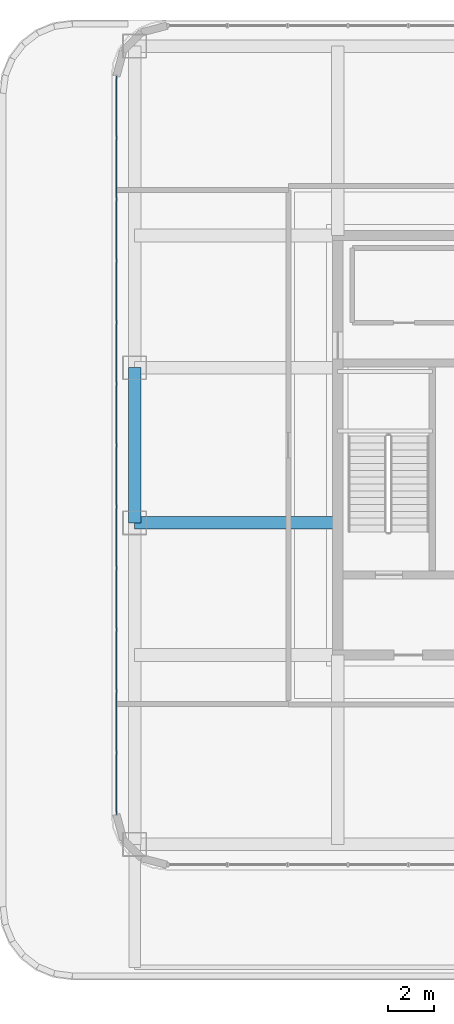
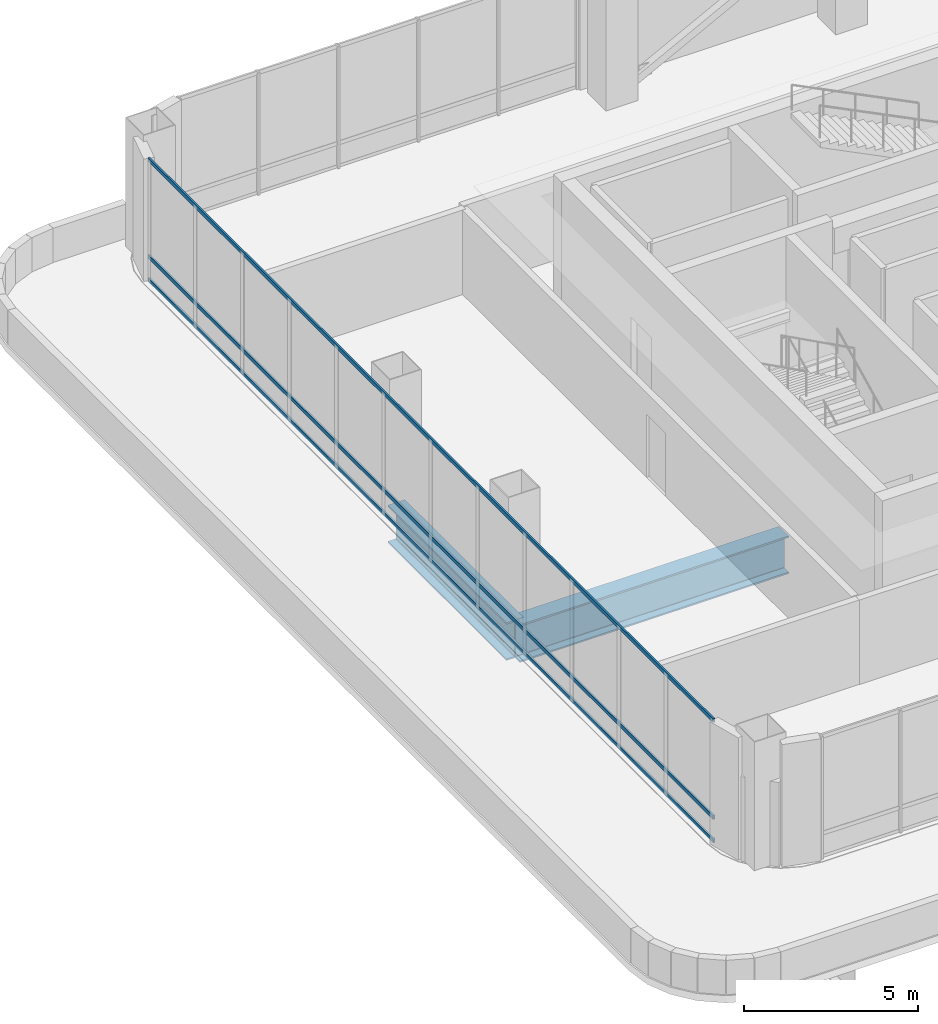
# One storey, part 9 of 33: 3 members, 2 beams, 1 element without a shape of its own.
"""IFC4 building model written with IfcOpenShell, lengths in metres."""

import ifcopenshell
import ifcopenshell.guid

model = None  # the IFC model being written
_history = None  # IfcOwnerHistory: only IFC2X3 demands one
_inside = {}  # id of a spatial element -> (the spatial element, [elements in it])
_under = {}  # id of a project, library or spatial element -> (it, [spatial elements below it])
_declared = {}  # id of a project -> (the project, [libraries it declares])
_typed = {}  # id of a type object -> (the type object, [elements of that type])
_made_of = {}  # id of a material, layer set ... -> (it, [elements and type objects made of it])


def new_model(schema):
    """Start an empty IFC model of exactly this schema.

    Asked for "IFC4X3", IfcOpenShell would pick the latest addendum, in which some entities
    have other attributes; the version numbers below select the first issue.
    IFC2X3 requires an IfcOwnerHistory on every rooted entity: one is made here for all.
    """
    global model, _history
    if schema == "IFC4X3":
        model = ifcopenshell.file(schema_version=(4, 3, 0, 0))
    else:
        model = ifcopenshell.file(schema=schema)
    _inside.clear()
    _under.clear()
    _declared.clear()
    _typed.clear()
    _made_of.clear()
    _history = None
    if model.schema == "IFC2X3":
        org = make("IfcOrganization", Name="unknown")
        user = make(
            "IfcPersonAndOrganization",
            ThePerson=make("IfcPerson", FamilyName="unknown"),
            TheOrganization=org,
        )
        app = make(
            "IfcApplication",
            ApplicationDeveloper=org,
            Version="unknown",
            ApplicationFullName="unknown",
            ApplicationIdentifier="unknown",
        )
        _history = make(
            "IfcOwnerHistory",
            OwningUser=user,
            OwningApplication=app,
            ChangeAction="ADDED",
            CreationDate=0,
        )
    return model


def make(cls, **values):
    """One entity of the class cls with the attributes given. An attribute that is None is left unset."""
    return model.create_entity(
        cls, **{name: value for name, value in values.items() if value is not None}
    )


def rooted(cls, **values):
    """An entity with a GlobalId (a new one), such as an element, a storey or a relation."""
    return make(cls, GlobalId=ifcopenshell.guid.new(), OwnerHistory=_history, **values)


def si_unit(unit_type, name, prefix=None):
    """IfcSIUnit, for example si_unit("LENGTHUNIT", "METRE", prefix="MILLI")."""
    return make("IfcSIUnit", UnitType=unit_type, Prefix=prefix, Name=name)


def assignment(units):
    """IfcUnitAssignment: the units of a project."""
    return None if units is None else make("IfcUnitAssignment", Units=units)


def point(xyz):
    """IfcCartesianPoint."""
    return None if xyz is None else make("IfcCartesianPoint", Coordinates=xyz)


def direction(xyz):
    """IfcDirection."""
    return None if xyz is None else make("IfcDirection", DirectionRatios=xyz)


def frame(location, z_axis=None, x_axis=None):
    """IfcAxis2Placement3D, a coordinate frame: its origin and axes. An axis left out is left unset."""
    return make(
        "IfcAxis2Placement3D",
        Location=point(location),
        Axis=direction(z_axis),
        RefDirection=direction(x_axis),
    )


def frame_2d(location, x_axis=None):
    """IfcAxis2Placement2D, a coordinate frame in the plane: its origin and x axis."""
    return make(
        "IfcAxis2Placement2D", Location=point(location), RefDirection=direction(x_axis)
    )


def origin():
    """The frame at (0, 0, 0) with its axes left unset."""
    return frame((0.0, 0.0, 0.0))


def origin_2d():
    """The frame at (0, 0) in the plane with its x axis left unset."""
    return frame_2d((0.0, 0.0))


def place(relative_to, where):
    """IfcLocalPlacement: puts the frame where relative to a parent placement (None: the world)."""
    return make(
        "IfcLocalPlacement", PlacementRelTo=relative_to, RelativePlacement=where
    )


def context(
    kind, dimensions, precision=None, world=None, true_north=None, identifier=None
):
    """IfcGeometricRepresentationContext, for example the 3D "Model" context."""
    return make(
        "IfcGeometricRepresentationContext",
        ContextIdentifier=identifier,
        ContextType=kind,
        CoordinateSpaceDimension=dimensions,
        Precision=precision,
        WorldCoordinateSystem=world,
        TrueNorth=true_north,
    )


def subcontext(parent, identifier, kind, view, scale=None):
    """IfcGeometricRepresentationSubContext, for example "Body" below "Model"."""
    return make(
        "IfcGeometricRepresentationSubContext",
        ContextIdentifier=identifier,
        ContextType=kind,
        ParentContext=parent,
        TargetScale=scale,
        TargetView=view,
    )


def project(units=None, contexts=None):
    """IfcProject with its units and contexts."""
    return rooted(
        "IfcProject",
        Name="project",
        RepresentationContexts=contexts,
        UnitsInContext=assignment(units),
    )


def spatial(cls, under=None, at=None, **own):
    """A site, building, storey or space (cls), placed at a placement, below another one or the project."""
    s = rooted(cls, ObjectPlacement=at, **own)
    if under is not None:
        _under.setdefault(under.id(), (under, []))[1].append(s)
    return s


def profile(cls, at=None, kind="AREA", **sizes):
    """A parametric profile (cls). Its sizes go by their IFC names, for example OverallWidth=200.0."""
    return make(cls, ProfileType=kind, Position=at, **sizes)


def hollow_rectangle(**sizes):
    """IfcRectangleHollowProfileDef."""
    return profile("IfcRectangleHollowProfileDef", **sizes)


def i_section(**sizes):
    """IfcIShapeProfileDef."""
    return profile("IfcIShapeProfileDef", **sizes)


def extrude(swept, where, along, depth):
    """IfcExtrudedAreaSolid: the profile swept, set in the frame where, extruded along a direction by depth."""
    return make(
        "IfcExtrudedAreaSolid",
        SweptArea=swept,
        Position=where,
        ExtrudedDirection=direction(along),
        Depth=depth,
    )


def shape(context_of_items, identifier, shape_type, items):
    """IfcShapeRepresentation: the items that make up one representation, for example the "Body"."""
    return make(
        "IfcShapeRepresentation",
        ContextOfItems=context_of_items,
        RepresentationIdentifier=identifier,
        RepresentationType=shape_type,
        Items=items,
    )


def material(Name=None, Category=None):
    """IfcMaterial."""
    return make("IfcMaterial", Name=Name, Category=Category)


def material_profile(
    of_material, cross_section, Name=None, Category=None, Priority=None
):
    """IfcMaterialProfile: a cross section and its material."""
    return make(
        "IfcMaterialProfile",
        Name=Name,
        Material=of_material,
        Profile=cross_section,
        Priority=Priority,
        Category=Category,
    )


def profile_set(profiles, Name=None, composite=None):
    """IfcMaterialProfileSet."""
    return make(
        "IfcMaterialProfileSet",
        Name=Name,
        MaterialProfiles=profiles,
        CompositeProfile=composite,
    )


def made_of(thing, what):
    """Note that an element or type object is made of a material, layer set ...; save() writes the relation."""
    if what is not None:
        _made_of.setdefault(what.id(), (what, []))[1].append(thing)
    return thing


def type_object(cls, material=None, **own):
    """A type object (cls), such as IfcWallType, which elements share."""
    return made_of(rooted(cls, **own), material)


def element(
    cls,
    number,
    at=None,
    inside=None,
    cuts=None,
    type_object=None,
    material=None,
    context=None,
    identifier="Body",
    shape_type=None,
    held_by="IfcProductDefinitionShape",
    body=None,
    shapes=None,
    **own,
):
    """One element of the class cls, such as IfcWall. Its Tag is "e" and its number.

    at: its placement. inside: the storey or other place that contains it. cuts: it is an
    opening in that element (IfcRelVoidsElement). A single representation is given by context,
    identifier, shape_type and body (its items); several are given by shapes. held_by: the class
    of the entity that holds the representations. save() writes the other relations.
    """
    e = rooted(cls, Tag="e%d" % number, ObjectPlacement=at, **own)
    if body is not None:
        shapes = [shape(context, identifier, shape_type, body)]
    if shapes is not None:
        e.Representation = make(held_by, Representations=shapes)
    if inside is not None:
        _inside.setdefault(inside.id(), (inside, []))[1].append(e)
    if cuts is not None:
        rooted(
            "IfcRelVoidsElement", RelatingBuildingElement=cuts, RelatedOpeningElement=e
        )
    if type_object is not None:
        _typed.setdefault(type_object.id(), (type_object, []))[1].append(e)
    return made_of(e, material)


def aggregate(whole, parts):
    """IfcRelAggregates: a whole, such as a stair, and the parts it consists of."""
    return rooted("IfcRelAggregates", RelatingObject=whole, RelatedObjects=parts)


def save(model, path):
    """Write the relations noted so far, then the file.

    IfcRelAggregates (storeys below a building ...), IfcRelContainedInSpatialStructure (elements
    in a storey), IfcRelDefinesByType, IfcRelAssociatesMaterial and IfcRelDeclares: one each for
    every whole, place, type object, material and project.
    """
    for whole, parts in _under.values():
        aggregate(whole, parts)
    for where, things in _inside.values():
        rooted(
            "IfcRelContainedInSpatialStructure",
            RelatedElements=things,
            RelatingStructure=where,
        )
    for kind, things in _typed.values():
        rooted("IfcRelDefinesByType", RelatedObjects=things, RelatingType=kind)
    for what, things in _made_of.values():
        rooted("IfcRelAssociatesMaterial", RelatedObjects=things, RelatingMaterial=what)
    for by, libraries in _declared.values():
        rooted("IfcRelDeclares", RelatingContext=by, RelatedDefinitions=libraries)
    model.write(path)


model = new_model("IFC4")

# Units and contexts
model_context = context("Model", 3, precision=1e-05, world=origin(), true_north=direction((0.0, 1.0)))
body_context = subcontext(model_context, "Body", "Model", "MODEL_VIEW")
ifc_project = project(units=[si_unit("LENGTHUNIT", "METRE"), si_unit("AREAUNIT", "SQUARE_METRE"), si_unit("VOLUMEUNIT", "CUBIC_METRE"), si_unit("PLANEANGLEUNIT", "RADIAN"), si_unit("MASSUNIT", "GRAM", prefix="KILO")], contexts=[model_context])

# Site, building, storey
site_placement = place(None, origin())
site = spatial("IfcSite", under=ifc_project, at=site_placement, CompositionType="ELEMENT")
building_placement = place(site_placement, origin())
building = spatial("IfcBuilding", under=site, at=building_placement, Name="Punatoya Terracotta Tower", CompositionType="ELEMENT")
storey_placement = place(building_placement, frame((0.0, 0.0, 343.800048828125)))
storey = spatial("IfcBuildingStorey", under=building, at=storey_placement, Name="L81", CompositionType="ELEMENT", Elevation=343.800048828125)

# Beams
ifc_material_1 = material(Name="Steel S460", Category="steel")
ifc_material_profile_1 = material_profile(ifc_material_1, i_section(OverallWidth=0.56005859375, OverallDepth=1.320068359375, WebThickness=0.035888671875, FlangeThickness=0.054931640625, FilletRadius=0.01806640625, at=origin_2d()))
ifc_profile_set_1 = profile_set([ifc_material_profile_1], Name="Steel S460")
beam_type = type_object("IfcBeamType", Name="BM-TG-BLK", PredefinedType="BEAM", material=ifc_profile_set_1)
beam_1_placement = place(storey_placement, frame((-19.10009765625, -3.39990234375, -0.93994140625), z_axis=(0.0, 1.0, 0.0), x_axis=(-1.0, 0.0, 0.0)))
element("IfcBeam", 1, at=beam_1_placement, inside=storey, type_object=beam_type, Name="BM-L81-RG-W2", PredefinedType="BEAM", context=body_context, shape_type="SweptSolid", body=[
    extrude(i_section(OverallWidth=0.56005859375, OverallDepth=1.320068359375, WebThickness=0.035888671875, FlangeThickness=0.054931640625, FilletRadius=0.01806640625, at=origin_2d()), origin(), (0.0, 0.0, 1.0), 6.7998046875),
])
beam_2_placement = place(storey_placement, frame((-19.10009765625, -3.39990234375, -0.93994140625), z_axis=(1.0, 0.0, 0.0), x_axis=(0.0, 1.0, 0.0)))
element("IfcBeam", 2, at=beam_2_placement, inside=storey, type_object=beam_type, Name="BM-L81-PR-WD", PredefinedType="BEAM", context=body_context, shape_type="SweptSolid", body=[
    extrude(i_section(OverallWidth=0.56005859375, OverallDepth=1.320068359375, WebThickness=0.035888671875, FlangeThickness=0.054931640625, FilletRadius=0.01806640625, at=origin_2d()), origin(), (0.0, 0.0, 1.0), 8.900146484375),
])

# Curtain wall, members
ifc_material_2 = material(Name="Aluminium 6063-T6 + Double Low-E Glass", Category="aluminium")
curtain_wall_type = type_object("IfcCurtainWallType", Name="CW-CRN", PredefinedType="NOTDEFINED", material=ifc_material_2)
curtain_wall_placement = place(storey_placement, origin())
curtain_wall = element("IfcCurtainWall", 3, at=curtain_wall_placement, inside=storey, type_object=curtain_wall_type, Name="L81 Curtain Wall CW-L81-W13-1", PredefinedType="NOTDEFINED")
ifc_material_3 = material(Name="Aluminium 6063-T6", Category="aluminium")
ifc_material_profile_2 = material_profile(ifc_material_3, hollow_rectangle(XDim=0.06201171875, YDim=0.135009765625, WallThickness=0.00390625, at=origin_2d()))
ifc_profile_set_2 = profile_set([ifc_material_profile_2], Name="Aluminium 6063-T6")
member_type = type_object("IfcMemberType", Name="CW-TRN-CRN", PredefinedType="USERDEFINED", material=ifc_profile_set_2)
member_1_placement = place(storey_placement, frame((-19.89990234375, 16.18701171875, 0.0400390625), z_axis=(0.0, -1.0, 0.0), x_axis=(1.0, 0.0, 0.0)))
member_1 = element("IfcMember", 4, at=member_1_placement, type_object=member_type, Name="CW-L81-W13-1 Transom 1", ObjectType="TRANSOM", PredefinedType="USERDEFINED", context=body_context, shape_type="SweptSolid", body=[
    extrude(hollow_rectangle(XDim=0.06201171875, YDim=0.135009765625, WallThickness=0.00390625, at=origin_2d()), origin(), (0.0, 0.0, 1.0), 32.3740234375),
])
member_2_placement = place(storey_placement, frame((-19.89990234375, 16.18701171875, 0.849853515625), z_axis=(0.0, -1.0, 0.0), x_axis=(1.0, 0.0, 0.0)))
member_2 = element("IfcMember", 5, at=member_2_placement, type_object=member_type, Name="CW-L81-W13-1 Transom 2", ObjectType="TRANSOM", PredefinedType="USERDEFINED", context=body_context, shape_type="SweptSolid", body=[
    extrude(hollow_rectangle(XDim=0.06201171875, YDim=0.135009765625, WallThickness=0.00390625, at=origin_2d()), origin(), (0.0, 0.0, 1.0), 32.3740234375),
])
member_3_placement = place(storey_placement, frame((-19.89990234375, 16.18701171875, 4.239990234375), z_axis=(0.0, -1.0, 0.0), x_axis=(1.0, 0.0, 0.0)))
member_3 = element("IfcMember", 6, at=member_3_placement, type_object=member_type, Name="CW-L81-W13-1 Transom 3", ObjectType="TRANSOM", PredefinedType="USERDEFINED", context=body_context, shape_type="SweptSolid", body=[
    extrude(hollow_rectangle(XDim=0.06201171875, YDim=0.135009765625, WallThickness=0.00390625, at=origin_2d()), origin(), (0.0, 0.0, 1.0), 32.3740234375),
])
aggregate(curtain_wall, [member_1, member_2, member_3])

save(model, "model.ifc")
